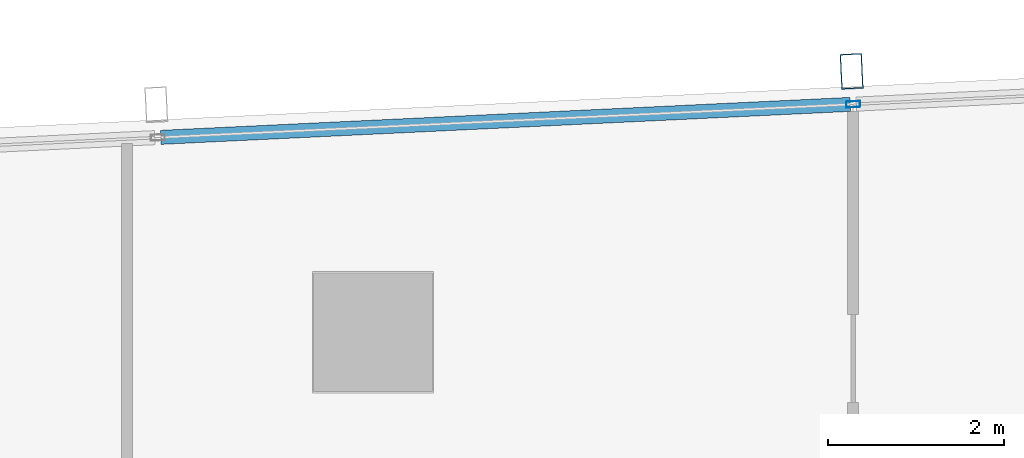
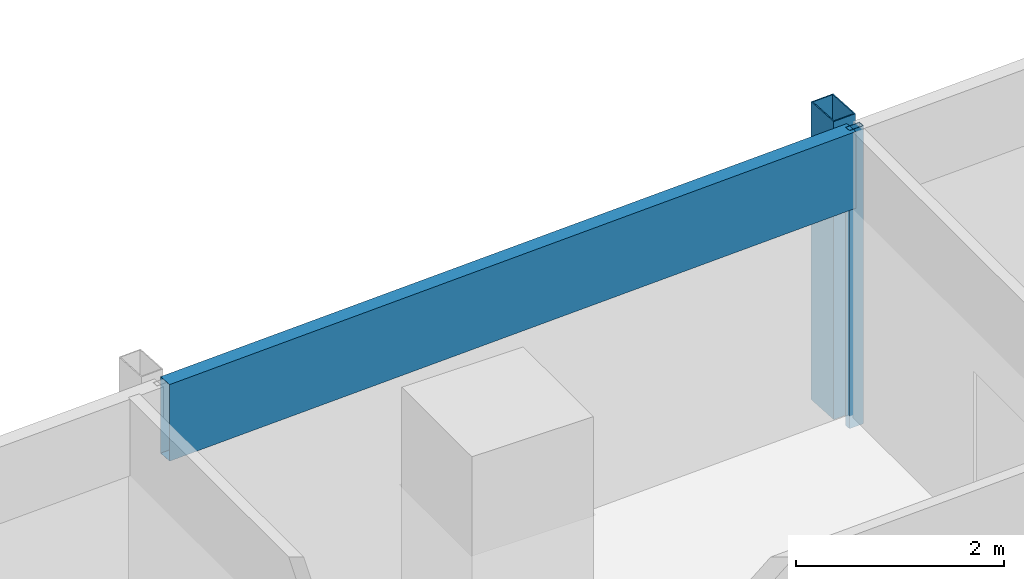
# One storey, part 19 of 40: 3 members, 1 element without a shape of its own.
"""IFC4 building model written with IfcOpenShell, lengths in metres."""

from ifc_helpers import new_model, si_unit, direction, frame, origin, origin_2d, place, context, subcontext, project, spatial, hollow_rectangle, extrude, material, material_profile, profile_set, type_object, element, aggregate, save


model = new_model("IFC4")

# Units and contexts
model_context = context("Model", 3, precision=1e-05, world=origin(), true_north=direction((0.0, 1.0)))
body_context = subcontext(model_context, "Body", "Model", "MODEL_VIEW")
ifc_project = project(units=[si_unit("LENGTHUNIT", "METRE"), si_unit("AREAUNIT", "SQUARE_METRE"), si_unit("VOLUMEUNIT", "CUBIC_METRE"), si_unit("PLANEANGLEUNIT", "RADIAN"), si_unit("MASSUNIT", "GRAM", prefix="KILO")], contexts=[model_context])

# Site, building, storey
site_placement = place(None, origin())
site = spatial("IfcSite", under=ifc_project, at=site_placement, CompositionType="ELEMENT")
building_placement = place(site_placement, origin())
building = spatial("IfcBuilding", under=site, at=building_placement, Name="Rekha Terrace Tower", CompositionType="ELEMENT")
storey_placement = place(building_placement, frame((0.0, 0.0, 213.949951171875)))
storey = spatial("IfcBuildingStorey", under=building, at=storey_placement, Name="L54", CompositionType="ELEMENT", Elevation=213.949951171875)

# Curtain wall, members
ifc_material_1 = material(Name="Aluminium framing", Category="aluminium")
curtain_wall_type = type_object("IfcCurtainWallType", Name="CW3 north unitised glazing", PredefinedType="USERDEFINED", material=ifc_material_1)
curtain_wall_placement = place(storey_placement, origin())
curtain_wall = element("IfcCurtainWall", 1, at=curtain_wall_placement, inside=storey, type_object=curtain_wall_type, Name="CW3 unitised curtain wall", ObjectType="UNITISED CURTAIN WALL", PredefinedType="USERDEFINED")
ifc_material_2 = material(Name="Steel S355 with fluorocarbon finish", Category="steel")
ifc_material_profile_1 = material_profile(ifc_material_2, hollow_rectangle(XDim=0.25, YDim=0.39990234375, WallThickness=0.012451171875, at=origin_2d()), Name="RHS400x250x12.5")
ifc_profile_set_1 = profile_set([ifc_material_profile_1], Name="Steel S355 with fluorocarbon finish")
member_type_1 = type_object("IfcMemberType", Name="BL1 facade blade RHS 400 x 250", PredefinedType="USERDEFINED", material=ifc_profile_set_1)
member_1_placement = place(storey_placement, frame((30.643310546875, 61.767578125, 0.0), z_axis=(0.0, 0.0, 1.0), x_axis=(-0.998858913274, -0.04775846913, 0.0)))
member_1 = element("IfcMember", 2, at=member_1_placement, type_object=member_type_1, Name="Facade blade", ObjectType="FACADE BLADE", PredefinedType="USERDEFINED", context=body_context, shape_type="SweptSolid", body=[
    extrude(hollow_rectangle(XDim=0.25, YDim=0.39990234375, WallThickness=0.012451171875, at=origin_2d()), origin(), (0.0, 0.0, 1.0), 3.5),
])
ifc_material_3 = material(Name="Aluminium mullion section", Category="aluminium")
ifc_material_profile_2 = material_profile(ifc_material_3, hollow_rectangle(XDim=0.070068359375, YDim=0.159912109375, WallThickness=0.00390625, at=origin_2d()), Name="AL RHS 70x160")
ifc_profile_set_2 = profile_set([ifc_material_profile_2], Name="Aluminium mullion section")
member_type_2 = type_object("IfcMemberType", Name="CW3 mullion RHS 70 x 160", PredefinedType="MULLION", material=ifc_profile_set_2)
member_2_placement = place(storey_placement, frame((30.6611328125, 61.39306640625, 0.0), z_axis=(0.0, 0.0, 1.0), x_axis=(0.047758616983, -0.998858906204, 0.0)))
member_2 = element("IfcMember", 3, at=member_2_placement, type_object=member_type_2, Name="CW3 mullion 3", PredefinedType="MULLION", context=body_context, shape_type="SweptSolid", body=[
    extrude(hollow_rectangle(XDim=0.070068359375, YDim=0.159912109375, WallThickness=0.00390625, at=origin_2d()), origin(), (0.0, 0.0, 1.0), 3.5),
])
ifc_material_4 = material(Name="Insulated aluminium spandrel box", Category="aluminium")
ifc_material_profile_3 = material_profile(ifc_material_4, hollow_rectangle(XDim=0.159912109375, YDim=0.89990234375, WallThickness=0.0029296875, at=origin_2d()), Name="AL SPANDREL BOX 160x900")
ifc_profile_set_3 = profile_set([ifc_material_profile_3], Name="Insulated aluminium spandrel box")
member_type_3 = type_object("IfcMemberType", Name="CW3 spandrel transom 160 x 900", PredefinedType="USERDEFINED", material=ifc_profile_set_3)
member_3_placement = place(storey_placement, frame((30.626220703125, 61.391357421875, 3.050048828125), z_axis=(-0.998859323292, -0.047749892907, 0.0), x_axis=(0.047749892907, -0.998859323292, 0.0)))
member_3 = element("IfcMember", 4, at=member_3_placement, type_object=member_type_3, Name="CW3 spandrel transom 3", ObjectType="TRANSOM", PredefinedType="USERDEFINED", context=body_context, shape_type="SweptSolid", body=[
    extrude(hollow_rectangle(XDim=0.159912109375, YDim=0.89990234375, WallThickness=0.0029296875, at=origin_2d()), origin(), (0.0, 0.0, 1.0), 7.848388671875),
])
aggregate(curtain_wall, [member_2, member_3, member_1])

save(model, "model.ifc")
